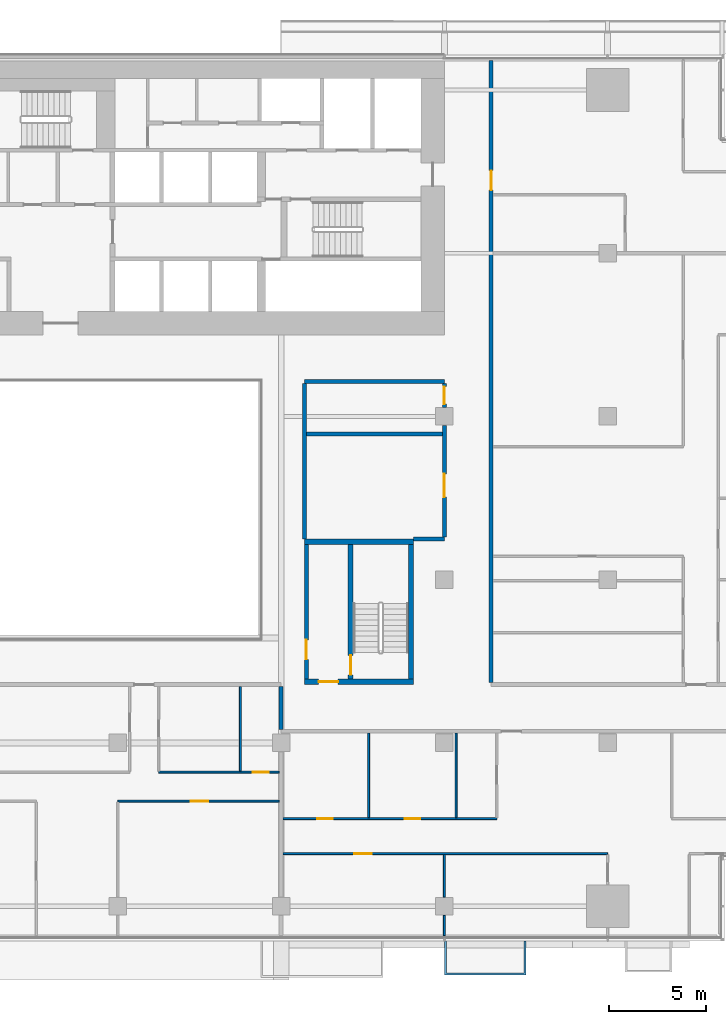
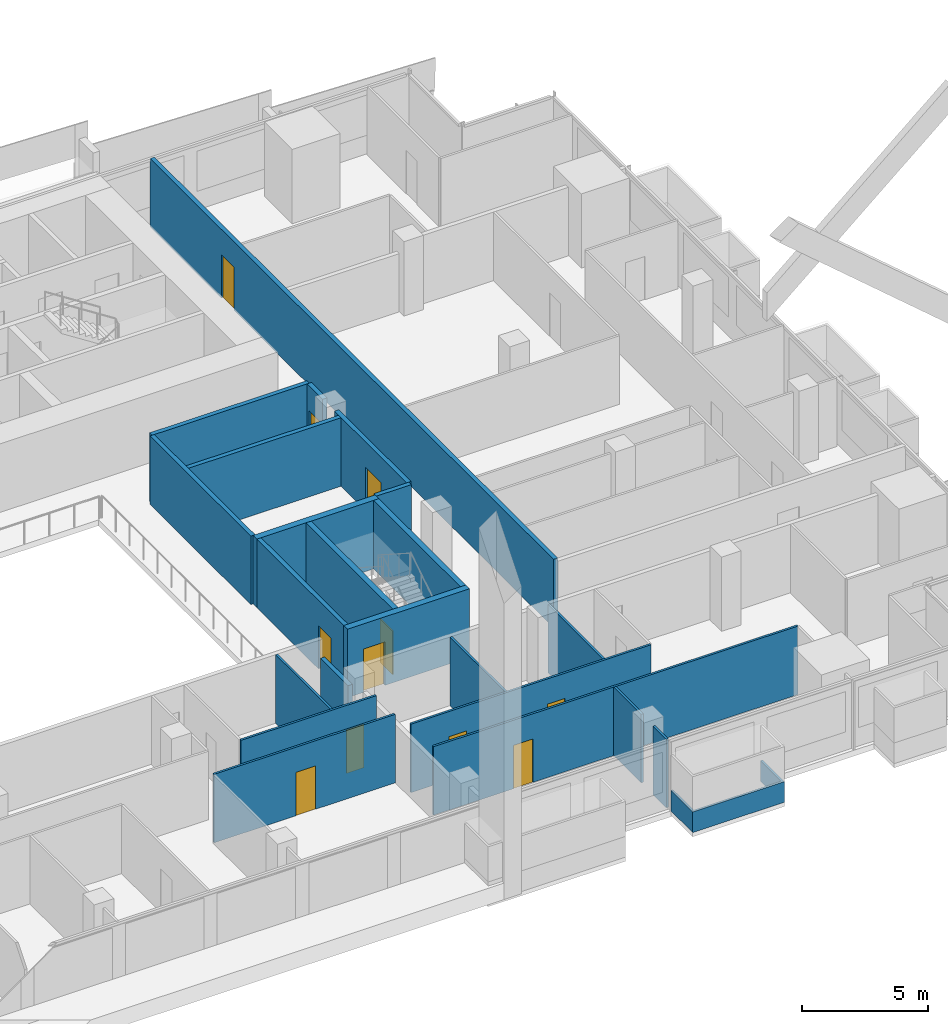
# One storey, part 19 of 30: 23 walls, 11 doors, 11 openings.
"""IFC4 building model written with IfcOpenShell, lengths in metres."""

from ifc_helpers import new_model, si_unit, direction, frame, frame_2d, origin, place, context, subcontext, project, spatial, polyline, rectangle, outline, extrude, material, layer, layer_set, type_object, element, fill, save


model = new_model("IFC4")

# Units and contexts
model_context = context("Model", 3, precision=1e-05, world=origin(), true_north=direction((0.0, 1.0)))
body_context = subcontext(model_context, "Body", "Model", "MODEL_VIEW")
ifc_project = project(units=[si_unit("LENGTHUNIT", "METRE"), si_unit("AREAUNIT", "SQUARE_METRE"), si_unit("VOLUMEUNIT", "CUBIC_METRE"), si_unit("PLANEANGLEUNIT", "RADIAN"), si_unit("MASSUNIT", "GRAM", prefix="KILO")], contexts=[model_context])

# Site, building, storey
site_placement = place(None, origin())
site = spatial("IfcSite", under=ifc_project, at=site_placement, CompositionType="ELEMENT")
building_placement = place(site_placement, origin())
building = spatial("IfcBuilding", under=site, at=building_placement, Name="Saffron Gate Tower", CompositionType="ELEMENT")
storey_placement = place(building_placement, frame((0.0, 0.0, 37.199951171875)))
storey = spatial("IfcBuildingStorey", under=building, at=storey_placement, Name="L07", CompositionType="ELEMENT", Elevation=37.199951171875)

# Wall, opening, door
ifc_material_1 = material(Name="Gypsum board partition on steel studs", Category="steel")
ifc_layer_1 = layer(ifc_material_1, 0.199951171875)
ifc_layer_set_1 = layer_set([ifc_layer_1], Name="CW10 Core partition 200")
wall_type_1 = type_object("IfcWallType", Name="CW10 Core partition 200", PredefinedType="PARTITIONING", material=ifc_layer_set_1)
wall_1_placement = place(storey_placement, frame((101.5, 43.5, 0.0), z_axis=(0.0, 0.0, 1.0), x_axis=(0.0, 1.0, 0.0)))
wall_1 = element("IfcWall", 1, at=wall_1_placement, inside=storey, type_object=wall_type_1, Name="Wall CW10-L07-E-2", PredefinedType="PARTITIONING", context=body_context, shape_type="SweptSolid", body=[
    extrude(rectangle(XDim=6.89990234375, YDim=0.199951171875, at=frame_2d((3.449951171875, 0.0))), origin(), (0.0, 0.0, 1.0), 3.320068359375),
])
opening_1_placement = place(wall_1_placement, frame((1.0, 0.0, 0.0)))
opening_1 = element("IfcOpeningElement", 2, at=opening_1_placement, cuts=wall_1, Name="Opening CR-22", PredefinedType="OPENING", context=body_context, shape_type="SweptSolid", body=[
    extrude(rectangle(XDim=1.0, YDim=2.10009765625, at=frame_2d((0.5, 1.050048828125))), frame((0.0, 0.10986328125, 0.0), z_axis=(0.0, -1.0, 0.0), x_axis=(1.0, 0.0, 0.0)), (0.0, 0.0, 1.0), 0.219970703125),
])
ifc_material_2 = material(Name="Steel fire door set", Category="steel")
door_type_1 = type_object("IfcDoorType", Name="CD4 Lobby door 1000x2100 EI 120", OperationType="NOTDEFINED", PredefinedType="DOOR", material=ifc_material_2)
door_1_placement = place(opening_1_placement, origin())
door_1 = element("IfcDoor", 3, at=door_1_placement, inside=storey, type_object=door_type_1, Name="DOOR CR-22", OperationType="SINGLE_SWING_LEFT", OverallHeight=2.10009765625, OverallWidth=1.0, PredefinedType="DOOR", context=body_context, shape_type="SweptSolid", body=[
    extrude(rectangle(XDim=1.0, YDim=2.10009765625, at=frame_2d((0.5, 1.050048828125))), frame((0.0, 0.02490234375, 0.0), z_axis=(0.0, -1.0, 0.0), x_axis=(1.0, 0.0, 0.0)), (0.0, 0.0, 1.0), 0.050048828125),
])
fill(opening_1, door_1)

ifc_material_3 = material(Name="Concrete C70", Category="concrete")
ifc_layer_2 = layer(ifc_material_3, 0.25)
ifc_layer_set_2 = layer_set([ifc_layer_2], Name="CW2 RC core wall 250 C70")
wall_type_2 = type_object("IfcWallType", Name="CW2 RC core wall 250 C70", PredefinedType="SOLIDWALL", material=ifc_layer_set_2)
wall_2_placement = place(storey_placement, frame((103.77490234375, 43.5, 0.0), z_axis=(0.0, 0.0, 1.0), x_axis=(0.0, 1.0, 0.0)))
wall_2 = element("IfcWall", 4, at=wall_2_placement, inside=storey, type_object=wall_type_2, Name="Wall CW2-L07-E-3", PredefinedType="SOLIDWALL", context=body_context, shape_type="SweptSolid", body=[
    extrude(rectangle(XDim=6.89990234375, YDim=0.25, at=frame_2d((3.449951171875, 0.0))), origin(), (0.0, 0.0, 1.0), 3.320068359375),
])
opening_2_placement = place(wall_2_placement, frame((0.199951171875, 0.0, 0.0)))
opening_2 = element("IfcOpeningElement", 5, at=opening_2_placement, cuts=wall_2, Name="Opening CR-23", PredefinedType="OPENING", context=body_context, shape_type="SweptSolid", body=[
    extrude(rectangle(XDim=1.0, YDim=2.10009765625, at=frame_2d((0.5, 1.050048828125))), frame((0.0, 0.135009765625, 0.0), z_axis=(0.0, -1.0, 0.0), x_axis=(1.0, 0.0, 0.0)), (0.0, 0.0, 1.0), 0.27001953125),
])
door_type_2 = type_object("IfcDoorType", Name="CD5 Stair door 1000x2100 EI 120", OperationType="NOTDEFINED", PredefinedType="DOOR", material=ifc_material_2)
door_2_placement = place(opening_2_placement, origin())
door_2 = element("IfcDoor", 6, at=door_2_placement, inside=storey, type_object=door_type_2, Name="DOOR CR-23", OperationType="SINGLE_SWING_RIGHT", OverallHeight=2.10009765625, OverallWidth=1.0, PredefinedType="DOOR", context=body_context, shape_type="SweptSolid", body=[
    extrude(rectangle(XDim=1.0, YDim=2.10009765625, at=frame_2d((0.5, 1.050048828125))), frame((0.0, 0.02490234375, 0.0), z_axis=(0.0, -1.0, 0.0), x_axis=(1.0, 0.0, 0.0)), (0.0, 0.0, 1.0), 0.050048828125),
])
fill(opening_2, door_2)

# Wall
wall_3_placement = place(storey_placement, frame((106.875, 43.5, 0.0), z_axis=(0.0, 0.0, 1.0), x_axis=(0.0, 1.0, 0.0)))
element("IfcWall", 7, at=wall_3_placement, inside=storey, type_object=wall_type_2, Name="Wall CW2-L07-E-4", PredefinedType="SOLIDWALL", context=body_context, shape_type="SweptSolid", body=[
    extrude(rectangle(XDim=6.89990234375, YDim=0.25, at=frame_2d((3.449951171875, 0.0))), origin(), (0.0, 0.0, 1.0), 3.320068359375),
])

# Wall, opening, door
ifc_layer_3 = layer(ifc_material_3, 0.300048828125)
ifc_layer_set_3 = layer_set([ifc_layer_3], Name="CW5 RC core wall 300 C70")
wall_type_3 = type_object("IfcWallType", Name="CW5 RC core wall 300 C70", PredefinedType="SOLIDWALL", material=ifc_layer_set_3)
wall_4_placement = place(storey_placement, frame((101.39990234375, 43.35009765625, 0.0), z_axis=(0.0, 0.0, 1.0), x_axis=(1.0, 0.0, 0.0)))
wall_4 = element("IfcWall", 8, at=wall_4_placement, inside=storey, type_object=wall_type_3, Name="Wall CW5-L07-E-1", PredefinedType="SOLIDWALL", context=body_context, shape_type="SweptSolid", body=[
    extrude(rectangle(XDim=5.60009765625, YDim=0.300048828125, at=frame_2d((2.800048828125, 0.0))), origin(), (0.0, 0.0, 1.0), 3.320068359375),
])
opening_3_placement = place(wall_4_placement, frame((0.72509765625, 0.0, 0.0)))
opening_3 = element("IfcOpeningElement", 9, at=opening_3_placement, cuts=wall_4, Name="Opening CR-21", PredefinedType="OPENING", context=body_context, shape_type="SweptSolid", body=[
    extrude(rectangle(XDim=1.0, YDim=2.10009765625, at=frame_2d((0.5, 1.050048828125))), frame((0.0, 0.16015625, 0.0), z_axis=(0.0, -1.0, 0.0), x_axis=(1.0, 0.0, 0.0)), (0.0, 0.0, 1.0), 0.320068359375),
])
door_3_placement = place(opening_3_placement, origin())
door_3 = element("IfcDoor", 10, at=door_3_placement, inside=storey, type_object=door_type_1, Name="DOOR CR-21", OperationType="SINGLE_SWING_RIGHT", OverallHeight=2.10009765625, OverallWidth=1.0, PredefinedType="DOOR", context=body_context, shape_type="SweptSolid", body=[
    extrude(rectangle(XDim=1.0, YDim=2.10009765625, at=frame_2d((0.5, 1.050048828125))), frame((0.0, 0.02490234375, 0.0), z_axis=(0.0, -1.0, 0.0), x_axis=(1.0, 0.0, 0.0)), (0.0, 0.0, 1.0), 0.050048828125),
])
fill(opening_3, door_3)

# Wall
wall_5_placement = place(storey_placement, frame((101.39990234375, 50.550048828125, 0.0), z_axis=(0.0, 0.0, 1.0), x_axis=(1.0, 0.0, 0.0)))
element("IfcWall", 11, at=wall_5_placement, inside=storey, type_object=wall_type_3, Name="Wall CW5-L07-E-5", PredefinedType="SOLIDWALL", context=body_context, shape_type="SweptSolid", body=[
    extrude(rectangle(XDim=5.60009765625, YDim=0.300048828125, at=frame_2d((2.800048828125, 0.0))), origin(), (0.0, 0.0, 1.0), 3.320068359375),
])

# Wall, opening, door
ifc_material_4 = material(Name="Plasterboard on steel studs", Category="steel")
ifc_layer_4 = layer(ifc_material_4, 0.10009765625)
ifc_layer_set_4 = layer_set([ifc_layer_4], Name="PW1 Partition 100")
wall_type_4 = type_object("IfcWallType", Name="PW1 Partition 100", PredefinedType="PARTITIONING", material=ifc_layer_set_4)
wall_6_placement = place(storey_placement, frame((117.0, 34.5, 0.0), z_axis=(0.0, 0.0, 1.0), x_axis=(-1.0, 0.0, 0.0)))
wall_6 = element("IfcWall", 12, at=wall_6_placement, inside=storey, type_object=wall_type_4, Name="Partition A1-3", PredefinedType="PARTITIONING", context=body_context, shape_type="SweptSolid", body=[
    extrude(rectangle(XDim=16.699951171875, YDim=0.10009765625, at=frame_2d((8.35009765625, 0.0))), origin(), (0.0, 0.0, 1.0), 3.320068359375),
])
opening_4_placement = place(wall_6_placement, frame((12.14990234375, 0.0, 0.0)))
opening_4 = element("IfcOpeningElement", 13, at=opening_4_placement, cuts=wall_6, Name="Opening A1-18", PredefinedType="OPENING", context=body_context, shape_type="SweptSolid", body=[
    extrude(rectangle(XDim=0.89990234375, YDim=2.10009765625, at=frame_2d((0.449951171875, 1.050048828125))), frame((0.0, 0.06005859375, 0.0), z_axis=(0.0, -1.0, 0.0), x_axis=(1.0, 0.0, 0.0)), (0.0, 0.0, 1.0), 0.1201171875),
])
ifc_material_5 = material(Name="Timber door set", Category="wood")
door_type_3 = type_object("IfcDoorType", Name="RD1 Room door 900x2100", OperationType="NOTDEFINED", PredefinedType="DOOR", material=ifc_material_5)
door_4_placement = place(opening_4_placement, origin())
door_4 = element("IfcDoor", 14, at=door_4_placement, inside=storey, type_object=door_type_3, Name="Door A1-18", OperationType="SINGLE_SWING_RIGHT", OverallHeight=2.10009765625, OverallWidth=0.89990234375, PredefinedType="DOOR", context=body_context, shape_type="SweptSolid", body=[
    extrude(rectangle(XDim=0.89990234375, YDim=2.10009765625, at=frame_2d((0.449951171875, 1.050048828125))), frame((0.0, 0.02490234375, 0.0), z_axis=(0.0, -1.0, 0.0), x_axis=(1.0, 0.0, 0.0)), (0.0, 0.0, 1.0), 0.050048828125),
])
fill(opening_4, door_4)

# Wall, openings, doors
wall_7_placement = place(storey_placement, frame((100.300048828125, 36.300048828125, 0.0), z_axis=(0.0, 0.0, 1.0), x_axis=(1.0, 0.0, 0.0)))
wall_7 = element("IfcWall", 15, at=wall_7_placement, inside=storey, type_object=wall_type_4, Name="Partition A1-7", PredefinedType="PARTITIONING", context=body_context, shape_type="SweptSolid", body=[
    extrude(rectangle(XDim=11.0, YDim=0.10009765625, at=frame_2d((5.5, 0.0))), origin(), (0.0, 0.0, 1.0), 3.320068359375),
])
opening_5_placement = place(wall_7_placement, frame((1.75, 0.0, 0.0)))
opening_5 = element("IfcOpeningElement", 16, at=opening_5_placement, cuts=wall_7, Name="Opening A1-40", PredefinedType="OPENING", context=body_context, shape_type="SweptSolid", body=[
    extrude(rectangle(XDim=0.800048828125, YDim=2.10009765625, at=frame_2d((0.39990234375, 1.050048828125))), frame((0.0, 0.06005859375, 0.0), z_axis=(0.0, -1.0, 0.0), x_axis=(1.0, 0.0, 0.0)), (0.0, 0.0, 1.0), 0.1201171875),
])
opening_6_placement = place(wall_7_placement, frame((6.25, 0.0, 0.0)))
opening_6 = element("IfcOpeningElement", 17, at=opening_6_placement, cuts=wall_7, Name="Opening A1-41", PredefinedType="OPENING", context=body_context, shape_type="SweptSolid", body=[
    extrude(rectangle(XDim=0.800048828125, YDim=2.10009765625, at=frame_2d((0.39990234375, 1.050048828125))), frame((0.0, 0.06005859375, 0.0), z_axis=(0.0, -1.0, 0.0), x_axis=(1.0, 0.0, 0.0)), (0.0, 0.0, 1.0), 0.1201171875),
])
door_type_4 = type_object("IfcDoorType", Name="RD2 Bathroom door 800x2100", OperationType="NOTDEFINED", PredefinedType="DOOR", material=ifc_material_5)
door_5_placement = place(opening_5_placement, origin())
door_5 = element("IfcDoor", 18, at=door_5_placement, inside=storey, type_object=door_type_4, Name="Door A1-40", OperationType="SINGLE_SWING_LEFT", OverallHeight=2.10009765625, OverallWidth=0.800048828125, PredefinedType="DOOR", context=body_context, shape_type="SweptSolid", body=[
    extrude(rectangle(XDim=0.800048828125, YDim=2.10009765625, at=frame_2d((0.39990234375, 1.050048828125))), frame((0.0, 0.02490234375, 0.0), z_axis=(0.0, -1.0, 0.0), x_axis=(1.0, 0.0, 0.0)), (0.0, 0.0, 1.0), 0.050048828125),
])
fill(opening_5, door_5)
door_6_placement = place(opening_6_placement, origin())
door_6 = element("IfcDoor", 19, at=door_6_placement, inside=storey, type_object=door_type_4, Name="Door A1-41", OperationType="SINGLE_SWING_RIGHT", OverallHeight=2.10009765625, OverallWidth=0.800048828125, PredefinedType="DOOR", context=body_context, shape_type="SweptSolid", body=[
    extrude(rectangle(XDim=0.800048828125, YDim=2.10009765625, at=frame_2d((0.39990234375, 1.050048828125))), frame((0.0, 0.02490234375, 0.0), z_axis=(0.0, -1.0, 0.0), x_axis=(1.0, 0.0, 0.0)), (0.0, 0.0, 1.0), 0.050048828125),
])
fill(opening_6, door_6)

# Wall, opening, door
wall_8_placement = place(storey_placement, frame((100.10009765625, 37.199951171875, 0.0), z_axis=(0.0, 0.0, 1.0), x_axis=(-1.0, 0.0, 0.0)))
wall_8 = element("IfcWall", 20, at=wall_8_placement, inside=storey, type_object=wall_type_4, Name="Partition A1-10", PredefinedType="PARTITIONING", context=body_context, shape_type="SweptSolid", body=[
    extrude(rectangle(XDim=8.300048828125, YDim=0.10009765625, at=frame_2d((4.14990234375, 0.0))), origin(), (0.0, 0.0, 1.0), 3.320068359375),
])
opening_7_placement = place(wall_8_placement, frame((3.64990234375, 0.0, 0.0)))
opening_7 = element("IfcOpeningElement", 21, at=opening_7_placement, cuts=wall_8, Name="Opening A1-16", PredefinedType="OPENING", context=body_context, shape_type="SweptSolid", body=[
    extrude(rectangle(XDim=0.89990234375, YDim=2.10009765625, at=frame_2d((0.449951171875, 1.050048828125))), frame((0.0, 0.06005859375, 0.0), z_axis=(0.0, -1.0, 0.0), x_axis=(1.0, 0.0, 0.0)), (0.0, 0.0, 1.0), 0.1201171875),
])
door_7_placement = place(opening_7_placement, origin())
door_7 = element("IfcDoor", 22, at=door_7_placement, inside=storey, type_object=door_type_3, Name="Door A1-16", OperationType="SINGLE_SWING_LEFT", OverallHeight=2.10009765625, OverallWidth=0.89990234375, PredefinedType="DOOR", context=body_context, shape_type="SweptSolid", body=[
    extrude(rectangle(XDim=0.89990234375, YDim=2.10009765625, at=frame_2d((0.449951171875, 1.050048828125))), frame((0.0, 0.02490234375, 0.0), z_axis=(0.0, -1.0, 0.0), x_axis=(1.0, 0.0, 0.0)), (0.0, 0.0, 1.0), 0.050048828125),
])
fill(opening_7, door_7)

wall_9_placement = place(storey_placement, frame((93.89990234375, 38.699951171875, 0.0), z_axis=(0.0, 0.0, 1.0), x_axis=(1.0, 0.0, 0.0)))
wall_9 = element("IfcWall", 23, at=wall_9_placement, inside=storey, type_object=wall_type_4, Name="Partition A1-12", PredefinedType="PARTITIONING", context=body_context, shape_type="SweptSolid", body=[
    extrude(rectangle(XDim=6.2001953125, YDim=0.10009765625, at=frame_2d((3.10009765625, 0.0))), origin(), (0.0, 0.0, 1.0), 3.320068359375),
])
opening_8_placement = place(wall_9_placement, frame((4.85009765625, 0.0, 0.0)))
opening_8 = element("IfcOpeningElement", 24, at=opening_8_placement, cuts=wall_9, Name="Opening A1-39", PredefinedType="OPENING", context=body_context, shape_type="SweptSolid", body=[
    extrude(rectangle(XDim=0.800048828125, YDim=2.10009765625, at=frame_2d((0.39990234375, 1.050048828125))), frame((0.0, 0.06005859375, 0.0), z_axis=(0.0, -1.0, 0.0), x_axis=(1.0, 0.0, 0.0)), (0.0, 0.0, 1.0), 0.1201171875),
])
door_8_placement = place(opening_8_placement, origin())
door_8 = element("IfcDoor", 25, at=door_8_placement, inside=storey, type_object=door_type_4, Name="Door A1-39", OperationType="SINGLE_SWING_RIGHT", OverallHeight=2.10009765625, OverallWidth=0.800048828125, PredefinedType="DOOR", context=body_context, shape_type="SweptSolid", body=[
    extrude(rectangle(XDim=0.800048828125, YDim=2.10009765625, at=frame_2d((0.39990234375, 1.050048828125))), frame((0.0, 0.02490234375, 0.0), z_axis=(0.0, -1.0, 0.0), x_axis=(1.0, 0.0, 0.0)), (0.0, 0.0, 1.0), 0.050048828125),
])
fill(opening_8, door_8)

# Walls
wall_10_placement = place(storey_placement, frame((98.10009765625, 43.10009765625, 0.0), z_axis=(0.0, 0.0, 1.0), x_axis=(0.0, -1.0, 0.0)))
element("IfcWall", 26, at=wall_10_placement, inside=storey, type_object=wall_type_4, Name="Partition A1-84", PredefinedType="PARTITIONING", context=body_context, shape_type="SweptSolid", body=[
    extrude(rectangle(XDim=4.35009765625, YDim=0.10009765625, at=frame_2d((2.175048828125, 0.0))), origin(), (0.0, 0.0, 1.0), 3.320068359375),
])
wall_11_placement = place(storey_placement, frame((104.699951171875, 40.699951171875, 0.0), z_axis=(0.0, 0.0, 1.0), x_axis=(0.0, -1.0, 0.0)))
element("IfcWall", 27, at=wall_11_placement, inside=storey, type_object=wall_type_4, Name="Partition A1-89", PredefinedType="PARTITIONING", context=body_context, shape_type="SweptSolid", body=[
    extrude(rectangle(XDim=4.349853515625, YDim=0.10009765625, at=frame_2d((2.1748046875, 0.0))), origin(), (0.0, 0.0, 1.0), 3.320068359375),
])
wall_12_placement = place(storey_placement, frame((108.60009765625, 31.330078125, 0.0), z_axis=(0.0, 0.0, 1.0), x_axis=(0.0, -1.0, 0.0)))
element("IfcWall", 28, at=wall_12_placement, inside=storey, type_object=wall_type_4, Name="Partition A1-92", PredefinedType="PARTITIONING", context=body_context, shape_type="SweptSolid", body=[
    extrude(rectangle(XDim=1.050048828125, YDim=0.10009765625, at=frame_2d((0.52490234375, 0.0))), origin(), (0.0, 0.0, 1.0), 3.320068359375),
])
wall_13_placement = place(storey_placement, frame((108.60009765625, 34.449951171875, 0.0), z_axis=(0.0, 0.0, 1.0), x_axis=(0.0, -1.0, 0.0)))
element("IfcWall", 29, at=wall_13_placement, inside=storey, type_object=wall_type_4, Name="Partition A1-93", PredefinedType="PARTITIONING", context=body_context, shape_type="SweptSolid", body=[
    extrude(rectangle(XDim=2.179931640625, YDim=0.10009765625, at=frame_2d((1.08984375, 0.0))), origin(), (0.0, 0.0, 1.0), 3.320068359375),
])
wall_14_placement = place(storey_placement, frame((109.199951171875, 40.699951171875, 0.0), z_axis=(0.0, 0.0, 1.0), x_axis=(0.0, -1.0, 0.0)))
element("IfcWall", 30, at=wall_14_placement, inside=storey, type_object=wall_type_4, Name="Partition A1-94", PredefinedType="PARTITIONING", context=body_context, shape_type="SweptSolid", body=[
    extrude(rectangle(XDim=4.349853515625, YDim=0.10009765625, at=frame_2d((2.1748046875, 0.0))), origin(), (0.0, 0.0, 1.0), 3.320068359375),
])
ifc_material_6 = material(Name="Clay brick masonry, rendered", Category="masonry")
ifc_layer_5 = layer(ifc_material_6, 0.199951171875)
ifc_layer_set_5 = layer_set([ifc_layer_5], Name="PW3 Corridor wall 200")
wall_type_5 = type_object("IfcWallType", Name="PW3 Corridor wall 200", PredefinedType="PARTITIONING", material=ifc_layer_set_5)
wall_15_placement = place(storey_placement, frame((107.0, 50.699951171875, 0.0), z_axis=(0.0, 0.0, 1.0), x_axis=(1.0, 0.0, 0.0)))
element("IfcWall", 31, at=wall_15_placement, inside=storey, type_object=wall_type_5, Name="Wall A1-31", PredefinedType="PARTITIONING", context=body_context, shape_type="SweptSolid", body=[
    extrude(rectangle(XDim=1.60009765625, YDim=0.199951171875, at=frame_2d((0.800048828125, 0.0))), origin(), (0.0, 0.0, 1.0), 3.320068359375),
])
wall_16_placement = place(storey_placement, frame((101.39990234375, 58.800048828125, 0.0), z_axis=(0.0, 0.0, 1.0), x_axis=(1.0, 0.0, 0.0)))
element("IfcWall", 32, at=wall_16_placement, inside=storey, type_object=wall_type_5, Name="Wall A1-39", PredefinedType="PARTITIONING", context=body_context, shape_type="SweptSolid", body=[
    extrude(rectangle(XDim=7.2001953125, YDim=0.199951171875, at=frame_2d((3.60009765625, 0.0))), origin(), (0.0, 0.0, 1.0), 3.320068359375),
])
wall_17_placement = place(storey_placement, frame((100.199951171875, 43.10009765625, 0.0), z_axis=(0.0, 0.0, 1.0), x_axis=(0.0, -1.0, 0.0)))
element("IfcWall", 33, at=wall_17_placement, inside=storey, type_object=wall_type_5, Name="Wall A1-85", PredefinedType="PARTITIONING", context=body_context, shape_type="SweptSolid", body=[
    extrude(rectangle(XDim=2.2001953125, YDim=0.199951171875, at=frame_2d((1.10009765625, 0.0))), origin(), (0.0, 0.0, 1.0), 2.429931640625),
])
wall_18_placement = place(storey_placement, frame((101.39990234375, 58.699951171875, 0.0), z_axis=(0.0, 0.0, 1.0), x_axis=(0.0, -1.0, 0.0)))
element("IfcWall", 34, at=wall_18_placement, inside=storey, type_object=wall_type_5, Name="Wall A1-88", PredefinedType="PARTITIONING", context=body_context, shape_type="SweptSolid", body=[
    extrude(rectangle(XDim=8.0, YDim=0.199951171875, at=frame_2d((4.0, 0.0))), origin(), (0.0, 0.0, 1.0), 3.320068359375),
])

# Wall, opening, door
wall_19_placement = place(storey_placement, frame((108.60009765625, 50.800048828125, 0.0), z_axis=(0.0, 0.0, 1.0), x_axis=(0.0, 1.0, 0.0)))
wall_19 = element("IfcWall", 35, at=wall_19_placement, inside=storey, type_object=wall_type_5, Name="Wall A1-90", PredefinedType="PARTITIONING", context=body_context, shape_type="SweptSolid", body=[
    extrude(rectangle(XDim=5.72998046875, YDim=0.199951171875, at=frame_2d((2.864990234375, 0.0))), origin(), (0.0, 0.0, 1.0), 3.320068359375),
])
opening_9_placement = place(wall_19_placement, frame((2.050048828125, 0.0, 0.0)))
opening_9 = element("IfcOpeningElement", 36, at=opening_9_placement, cuts=wall_19, Name="Opening A1-48", PredefinedType="OPENING", context=body_context, shape_type="SweptSolid", body=[
    extrude(rectangle(XDim=1.199951171875, YDim=2.10009765625, at=frame_2d((0.60009765625, 1.050048828125))), frame((0.0, 0.10986328125, 0.0), z_axis=(0.0, -1.0, 0.0), x_axis=(1.0, 0.0, 0.0)), (0.0, 0.0, 1.0), 0.219970703125),
])
door_type_5 = type_object("IfcDoorType", Name="HD1 Hall door 1200x2100", OperationType="NOTDEFINED", PredefinedType="DOOR", material=ifc_material_5)
door_9_placement = place(opening_9_placement, origin())
door_9 = element("IfcDoor", 37, at=door_9_placement, inside=storey, type_object=door_type_5, Name="Door A1-48", OperationType="SINGLE_SWING_RIGHT", OverallHeight=2.10009765625, OverallWidth=1.199951171875, PredefinedType="DOOR", context=body_context, shape_type="SweptSolid", body=[
    extrude(rectangle(XDim=1.199951171875, YDim=2.10009765625, at=frame_2d((0.60009765625, 1.050048828125))), frame((0.0, 0.02490234375, 0.0), z_axis=(0.0, -1.0, 0.0), x_axis=(1.0, 0.0, 0.0)), (0.0, 0.0, 1.0), 0.050048828125),
])
fill(opening_9, door_9)

wall_20_placement = place(storey_placement, frame((108.60009765625, 57.469970703125, 0.0), z_axis=(0.0, 0.0, 1.0), x_axis=(0.0, 1.0, 0.0)))
wall_20 = element("IfcWall", 38, at=wall_20_placement, inside=storey, type_object=wall_type_5, Name="Wall A1-91", PredefinedType="PARTITIONING", context=body_context, shape_type="SweptSolid", body=[
    extrude(rectangle(XDim=1.22998046875, YDim=0.199951171875, at=frame_2d((0.614990234375, 0.0))), origin(), (0.0, 0.0, 1.0), 3.320068359375),
])
opening_10_placement = place(wall_20_placement, frame((0.1650390625, 0.0, 0.0)))
opening_10 = element("IfcOpeningElement", 39, at=opening_10_placement, cuts=wall_20, Name="Opening A1-35", PredefinedType="OPENING", context=body_context, shape_type="SweptSolid", body=[
    extrude(rectangle(XDim=0.89990234375, YDim=2.10009765625, at=frame_2d((0.449951171875, 1.050048828125))), frame((0.0, 0.10986328125, 0.0), z_axis=(0.0, -1.0, 0.0), x_axis=(1.0, 0.0, 0.0)), (0.0, 0.0, 1.0), 0.219970703125),
])
door_10_placement = place(opening_10_placement, origin())
door_10 = element("IfcDoor", 40, at=door_10_placement, inside=storey, type_object=door_type_3, Name="Door A1-35", OperationType="SINGLE_SWING_RIGHT", OverallHeight=2.10009765625, OverallWidth=0.89990234375, PredefinedType="DOOR", context=body_context, shape_type="SweptSolid", body=[
    extrude(rectangle(XDim=0.89990234375, YDim=2.10009765625, at=frame_2d((0.449951171875, 1.050048828125))), frame((0.0, 0.02490234375, 0.0), z_axis=(0.0, -1.0, 0.0), x_axis=(1.0, 0.0, 0.0)), (0.0, 0.0, 1.0), 0.050048828125),
])
fill(opening_10, door_10)

wall_21_placement = place(storey_placement, frame((111.0, 75.320068359375, 0.0), z_axis=(0.0, 0.0, 1.0), x_axis=(0.0, -1.0, 0.0)))
wall_21 = element("IfcWall", 41, at=wall_21_placement, inside=storey, type_object=wall_type_5, Name="Wall A1-95", PredefinedType="PARTITIONING", context=body_context, shape_type="SweptSolid", body=[
    extrude(rectangle(XDim=32.02001953125, YDim=0.199951171875, at=frame_2d((16.010009765625, 0.0))), origin(), (0.0, 0.0, 1.0), 3.320068359375),
])
opening_11_placement = place(wall_21_placement, frame((5.669921875, 0.0, 0.0)))
opening_11 = element("IfcOpeningElement", 42, at=opening_11_placement, cuts=wall_21, Name="Opening A1-7", PredefinedType="OPENING", context=body_context, shape_type="SweptSolid", body=[
    extrude(rectangle(XDim=1.0, YDim=2.10009765625, at=frame_2d((0.5, 1.050048828125))), frame((0.0, 0.10986328125, 0.0), z_axis=(0.0, -1.0, 0.0), x_axis=(1.0, 0.0, 0.0)), (0.0, 0.0, 1.0), 0.219970703125),
])
ifc_material_7 = material(Name="Timber fire door set", Category="wood")
door_type_6 = type_object("IfcDoorType", Name="FD1 Flat entry door 1000x2100", OperationType="NOTDEFINED", PredefinedType="DOOR", material=ifc_material_7)
door_11_placement = place(opening_11_placement, origin())
door_11 = element("IfcDoor", 43, at=door_11_placement, inside=storey, type_object=door_type_6, Name="Door A1-7", OperationType="SINGLE_SWING_RIGHT", OverallHeight=2.10009765625, OverallWidth=1.0, PredefinedType="DOOR", context=body_context, shape_type="SweptSolid", body=[
    extrude(rectangle(XDim=1.0, YDim=2.10009765625, at=frame_2d((0.5, 1.050048828125))), frame((0.0, 0.02490234375, 0.0), z_axis=(0.0, -1.0, 0.0), x_axis=(1.0, 0.0, 0.0)), (0.0, 0.0, 1.0), 0.050048828125),
])
fill(opening_11, door_11)

# Walls
ifc_layer_6 = layer(ifc_material_6, 0.199951171875)
ifc_layer_set_6 = layer_set([ifc_layer_6], Name="PW5 Room wall 200")
wall_type_6 = type_object("IfcWallType", Name="PW5 Room wall 200", PredefinedType="PARTITIONING", material=ifc_layer_set_6)
wall_22_placement = place(storey_placement, frame((101.5, 56.10009765625, 0.0), z_axis=(0.0, 0.0, 1.0), x_axis=(1.0, 0.0, 0.0)))
element("IfcWall", 44, at=wall_22_placement, inside=storey, type_object=wall_type_6, Name="Wall A1-36", PredefinedType="PARTITIONING", context=body_context, shape_type="SweptSolid", body=[
    extrude(rectangle(XDim=7.0, YDim=0.199951171875, at=frame_2d((3.5, 0.0))), origin(), (0.0, 0.0, 1.0), 3.320068359375),
])
ifc_material_8 = material(Name="Rendered insulated panel, white")
ifc_layer_7 = layer(ifc_material_8, 0.10009765625)
ifc_layer_set_7 = layer_set([ifc_layer_7], Name="WB3 box parapet white")
wall_type_7 = type_object("IfcWallType", Name="WB3 box parapet white", PredefinedType="SOLIDWALL", material=ifc_layer_set_7)
wall_23_placement = place(storey_placement, origin())
element("IfcWall", 45, at=wall_23_placement, inside=storey, type_object=wall_type_7, Name="WINDOW BOX parapet", PredefinedType="SOLIDWALL", context=body_context, shape_type="SweptSolid", body=[
    extrude(outline(polyline([(108.60009765625, 30.0), (108.699951171875, 30.0), (108.699951171875, 28.366943359375), (112.699951171875, 28.366943359375), (112.699951171875, 30.0), (112.800048828125, 30.0), (112.800048828125, 28.26708984375), (108.60009765625, 28.26708984375), (108.60009765625, 30.0)])), origin(), (0.0, 0.0, 1.0), 1.0),
])

save(model, "model.ifc")
